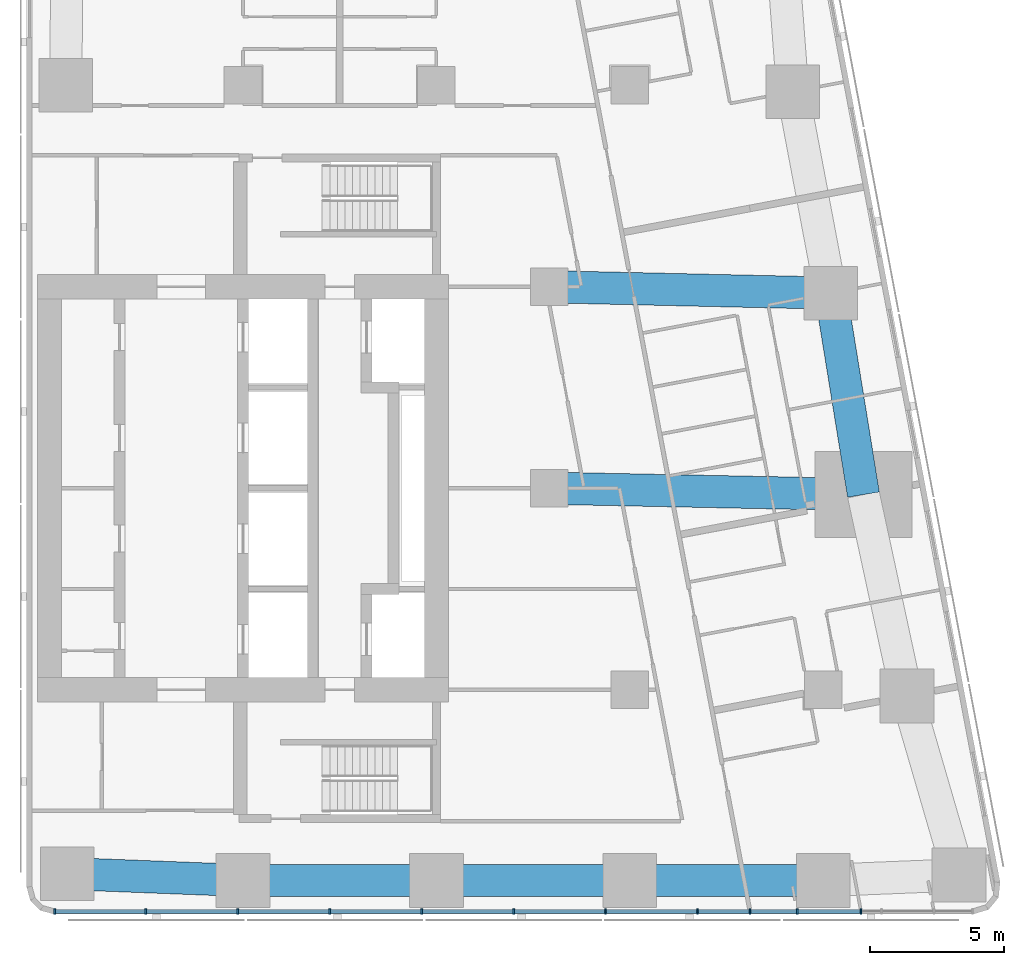
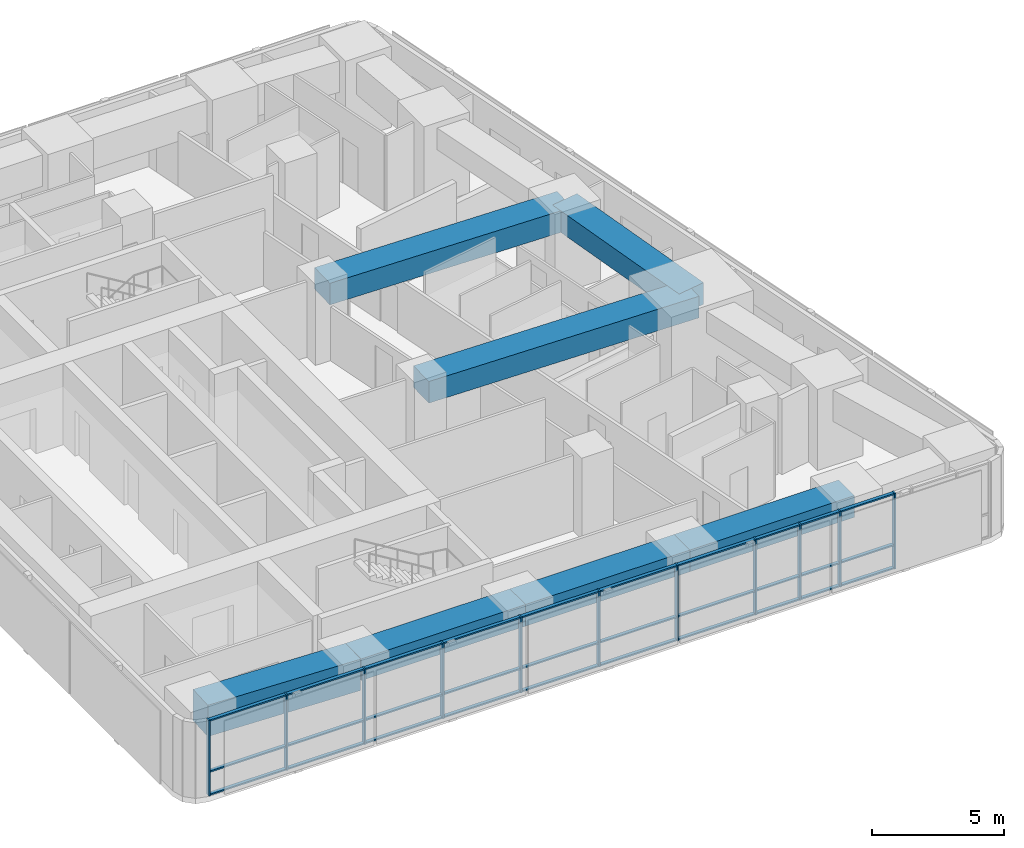
# One storey, part 2 of 11: 41 members, 7 beams, 1 element without a shape of its own.
"""IFC4 building model written with IfcOpenShell, lengths in metres."""

from ifc_helpers import new_model, si_unit, direction, frame, origin, origin_2d, place, context, subcontext, project, spatial, rectangle, extrude, material, material_profile, profile_set, type_object, element, aggregate, save


model = new_model("IFC4")

# Units and contexts
model_context = context("Model", 3, precision=1e-05, world=origin(), true_north=direction((0.0, 1.0)))
body_context = subcontext(model_context, "Body", "Model", "MODEL_VIEW")
ifc_project = project(units=[si_unit("LENGTHUNIT", "METRE"), si_unit("AREAUNIT", "SQUARE_METRE"), si_unit("VOLUMEUNIT", "CUBIC_METRE"), si_unit("PLANEANGLEUNIT", "RADIAN"), si_unit("MASSUNIT", "GRAM", prefix="KILO")], contexts=[model_context])

# Site, building, storey
site_placement = place(None, origin())
site = spatial("IfcSite", under=ifc_project, at=site_placement, CompositionType="ELEMENT")
building_placement = place(site_placement, origin())
building = spatial("IfcBuilding", under=site, at=building_placement, Name="Sheger Commons Tower", CompositionType="ELEMENT")
storey_placement = place(building_placement, frame((0.0, 0.0, 259.10009765625)))
storey = spatial("IfcBuildingStorey", under=building, at=storey_placement, Name="L66", CompositionType="ELEMENT", Elevation=259.10009765625)

# Beams
ifc_material_1 = material(Name="Concrete C50/60", Category="concrete")
ifc_material_profile_1 = material_profile(ifc_material_1, rectangle(XDim=1.199951171875, YDim=1.0, at=origin_2d()), Name="RC 1200x1000")
ifc_profile_set_1 = profile_set([ifc_material_profile_1], Name="Concrete C50/60")
beam_type_1 = type_object("IfcBeamType", Name="BEAM RC 1200x1000", PredefinedType="BEAM", material=ifc_profile_set_1)
beam_1_placement = place(storey_placement, frame((33.0, 22.5, 3.0), z_axis=(0.999794692776, -0.02026258368, 0.0), x_axis=(0.02026258368, 0.999794692776, 0.0)))
element("IfcBeam", 1, at=beam_1_placement, inside=storey, type_object=beam_type_1, Name="Beam 6-3000/D-7/D under L67", PredefinedType="BEAM", context=body_context, shape_type="SweptSolid", body=[
    extrude(rectangle(XDim=1.199951171875, YDim=1.0, at=origin_2d()), origin(), (0.0, 0.0, 1.0), 11.699462890625),
])
beam_2_placement = place(storey_placement, frame((33.0, 30.0, 3.0), z_axis=(0.999744258625, -0.022614538395, 0.0), x_axis=(0.022614538395, 0.999744258625, 0.0)))
element("IfcBeam", 2, at=beam_2_placement, inside=storey, type_object=beam_type_1, Name="Beam 6-3000/E-E/E under L67", PredefinedType="BEAM", context=body_context, shape_type="SweptSolid", body=[
    extrude(rectangle(XDim=1.199951171875, YDim=1.0, at=origin_2d()), origin(), (0.0, 0.0, 1.0), 10.482666015625),
])

# Curtain wall, members
ifc_material_2 = material(Name="Black aluminium curtain wall, dark tinted glazing", Category="aluminium")
curtain_wall_type = type_object("IfcCurtainWallType", Name="CURTAIN WALL CW5 SOUTH GALLERY", PredefinedType="USERDEFINED", material=ifc_material_2)
curtain_wall_placement = place(storey_placement, origin())
curtain_wall = element("IfcCurtainWall", 3, at=curtain_wall_placement, inside=storey, type_object=curtain_wall_type, Name="Curtain Wall Cw5 South Gallery S1 L66", ObjectType="UNITISED CURTAIN WALL", PredefinedType="USERDEFINED")
ifc_material_3 = material(Name="Black anodised aluminium", Category="aluminium")
ifc_material_profile_2 = material_profile(ifc_material_3, rectangle(XDim=0.199951171875, YDim=0.06494140625, at=origin_2d()), Name="AL 65x200")
ifc_profile_set_2 = profile_set([ifc_material_profile_2], Name="Black anodised aluminium")
member_type_1 = type_object("IfcMemberType", Name="MULLION AL 65x200", PredefinedType="MULLION", material=ifc_profile_set_2)
member_1_placement = place(storey_placement, frame((14.595458984375, 6.75, 0.0), z_axis=(0.0, 0.0, 1.0), x_axis=(0.0, 1.0, 0.0)))
member_1 = element("IfcMember", 4, at=member_1_placement, type_object=member_type_1, Name="CW5 mullion 1", PredefinedType="MULLION", context=body_context, shape_type="SweptSolid", body=[
    extrude(rectangle(XDim=0.199951171875, YDim=0.06494140625, at=origin_2d()), origin(), (0.0, 0.0, 1.0), 3.5),
])
member_2_placement = place(storey_placement, frame((17.985107421875, 6.75, 0.0), z_axis=(0.0, 0.0, 1.0), x_axis=(0.0, 1.0, 0.0)))
member_2 = element("IfcMember", 5, at=member_2_placement, type_object=member_type_1, Name="CW5 mullion 2", PredefinedType="MULLION", context=body_context, shape_type="SweptSolid", body=[
    extrude(rectangle(XDim=0.199951171875, YDim=0.06494140625, at=origin_2d()), origin(), (0.0, 0.0, 1.0), 3.5),
])
member_3_placement = place(storey_placement, frame((21.407958984375, 6.75, 0.0), z_axis=(0.0, 0.0, 1.0), x_axis=(0.0, 1.0, 0.0)))
member_3 = element("IfcMember", 6, at=member_3_placement, type_object=member_type_1, Name="CW5 mullion 3", PredefinedType="MULLION", context=body_context, shape_type="SweptSolid", body=[
    extrude(rectangle(XDim=0.199951171875, YDim=0.06494140625, at=origin_2d()), origin(), (0.0, 0.0, 1.0), 3.5),
])
member_4_placement = place(storey_placement, frame((24.830078125, 6.75, 0.0), z_axis=(0.0, 0.0, 1.0), x_axis=(0.0, 1.0, 0.0)))
member_4 = element("IfcMember", 7, at=member_4_placement, type_object=member_type_1, Name="CW5 mullion 4", PredefinedType="MULLION", context=body_context, shape_type="SweptSolid", body=[
    extrude(rectangle(XDim=0.199951171875, YDim=0.06494140625, at=origin_2d()), origin(), (0.0, 0.0, 1.0), 3.5),
])
member_5_placement = place(storey_placement, frame((28.2529296875, 6.75, 0.0), z_axis=(0.0, 0.0, 1.0), x_axis=(0.0, 1.0, 0.0)))
member_5 = element("IfcMember", 8, at=member_5_placement, type_object=member_type_1, Name="CW5 mullion 5", PredefinedType="MULLION", context=body_context, shape_type="SweptSolid", body=[
    extrude(rectangle(XDim=0.199951171875, YDim=0.06494140625, at=origin_2d()), origin(), (0.0, 0.0, 1.0), 3.5),
])
member_6_placement = place(storey_placement, frame((31.675048828125, 6.75, 0.0), z_axis=(0.0, 0.0, 1.0), x_axis=(0.0, 1.0, 0.0)))
member_6 = element("IfcMember", 9, at=member_6_placement, type_object=member_type_1, Name="CW5 mullion 6", PredefinedType="MULLION", context=body_context, shape_type="SweptSolid", body=[
    extrude(rectangle(XDim=0.199951171875, YDim=0.06494140625, at=origin_2d()), origin(), (0.0, 0.0, 1.0), 3.5),
])
member_7_placement = place(storey_placement, frame((35.096923828125, 6.75, 0.0), z_axis=(0.0, 0.0, 1.0), x_axis=(0.0, 1.0, 0.0)))
member_7 = element("IfcMember", 10, at=member_7_placement, type_object=member_type_1, Name="CW5 mullion 7", PredefinedType="MULLION", context=body_context, shape_type="SweptSolid", body=[
    extrude(rectangle(XDim=0.199951171875, YDim=0.06494140625, at=origin_2d()), origin(), (0.0, 0.0, 1.0), 3.5),
])
member_8_placement = place(storey_placement, frame((38.52001953125, 6.75, 0.0), z_axis=(0.0, 0.0, 1.0), x_axis=(0.0, 1.0, 0.0)))
member_8 = element("IfcMember", 11, at=member_8_placement, type_object=member_type_1, Name="CW5 mullion 8", PredefinedType="MULLION", context=body_context, shape_type="SweptSolid", body=[
    extrude(rectangle(XDim=0.199951171875, YDim=0.06494140625, at=origin_2d()), origin(), (0.0, 0.0, 1.0), 3.5),
])
member_9_placement = place(storey_placement, frame((40.47412109375, 6.75, 0.0), z_axis=(0.0, 0.0, 1.0), x_axis=(0.0, 1.0, 0.0)))
member_9 = element("IfcMember", 12, at=member_9_placement, type_object=member_type_1, Name="CW5 mullion 9", PredefinedType="MULLION", context=body_context, shape_type="SweptSolid", body=[
    extrude(rectangle(XDim=0.199951171875, YDim=0.06494140625, at=origin_2d()), origin(), (0.0, 0.0, 1.0), 3.5),
])
member_10_placement = place(storey_placement, frame((42.22802734375, 6.75, 0.0), z_axis=(0.0, 0.0, 1.0), x_axis=(0.0, 1.0, 0.0)))
member_10 = element("IfcMember", 13, at=member_10_placement, type_object=member_type_1, Name="CW5 mullion 10", PredefinedType="MULLION", context=body_context, shape_type="SweptSolid", body=[
    extrude(rectangle(XDim=0.199951171875, YDim=0.06494140625, at=origin_2d()), origin(), (0.0, 0.0, 1.0), 3.5),
])
member_11_placement = place(storey_placement, frame((44.60595703125, 6.75, 0.0), z_axis=(0.0, 0.0, 1.0), x_axis=(0.0, 1.0, 0.0)))
member_11 = element("IfcMember", 14, at=member_11_placement, type_object=member_type_1, Name="CW5 mullion 11", PredefinedType="MULLION", context=body_context, shape_type="SweptSolid", body=[
    extrude(rectangle(XDim=0.199951171875, YDim=0.06494140625, at=origin_2d()), origin(), (0.0, 0.0, 1.0), 3.5),
])

# Beams
ifc_material_4 = material(Name="Concrete C50/60", Category="concrete")
ifc_material_profile_3 = material_profile(ifc_material_4, rectangle(XDim=1.199951171875, YDim=1.0, at=origin_2d()), Name="RC 1200x1000")
ifc_profile_set_3 = profile_set([ifc_material_profile_3], Name="Concrete C50/60")
beam_type_2 = type_object("IfcBeamType", Name="SPANDREL RC 1200x1000", PredefinedType="SPANDREL", material=ifc_profile_set_3)
for number, where, z_axis, x_axis, name in (
    (15, (21.60009765625, 7.89990234375, 3.0), (1.0, 0.0, 0.0), (0.0, 1.0, 0.0), "Beam 4/B-5/B under L67"),
    (16, (28.800048828125, 7.89990234375, 3.0), (1.0, 0.0, 0.0), (0.0, 1.0, 0.0), "Beam 5/B-6/B under L67"),
    (17, (36.0, 7.89990234375, 3.0), (1.0, 0.0, 0.0), (0.0, 1.0, 0.0), "Beam 6/B-7/B under L67"),
):
    element("IfcBeam", number, at=place(storey_placement, frame(where, z_axis=z_axis, x_axis=x_axis)), inside=storey, type_object=beam_type_2, Name=name, PredefinedType="SPANDREL", context=body_context, shape_type="SweptSolid", body=[
        extrude(rectangle(XDim=1.199951171875, YDim=1.0, at=origin_2d()), origin(), (0.0, 0.0, 1.0), 7.199951171875),
    ])
beam_3_placement = place(storey_placement, frame((44.697021484375, 22.262939453125, 3.0), z_axis=(-0.160176929512, 0.987088319884, 0.0), x_axis=(-0.987088319884, -0.160176929512, 0.0)))
element("IfcBeam", 18, at=beam_3_placement, inside=storey, type_object=beam_type_2, Name="Beam E/D-E/E under L67", PredefinedType="SPANDREL", context=body_context, shape_type="SweptSolid", body=[
    extrude(rectangle(XDim=1.199951171875, YDim=1.0, at=origin_2d()), origin(), (0.0, 0.0, 1.0), 7.59814453125),
])
ifc_material_5 = material(Name="Concrete C50/60", Category="concrete")
ifc_material_profile_4 = material_profile(ifc_material_5, rectangle(XDim=1.199951171875, YDim=1.449951171875, at=origin_2d()), Name="RC 1200x1450")
ifc_profile_set_4 = profile_set([ifc_material_profile_4], Name="Concrete C50/60")
beam_type_3 = type_object("IfcBeamType", Name="SPANDREL RC 1200x1450", PredefinedType="SPANDREL", material=ifc_profile_set_4)
beam_4_placement = place(storey_placement, frame((15.053955078125, 8.154052734375, 2.77490234375), z_axis=(0.999247181966, -0.038795223079, 0.0), x_axis=(0.038795223079, 0.999247181966, 0.0)))
element("IfcBeam", 19, at=beam_4_placement, inside=storey, type_object=beam_type_3, Name="Beam 3/B-4/B under L67", PredefinedType="SPANDREL", context=body_context, shape_type="SweptSolid", body=[
    extrude(rectangle(XDim=1.199951171875, YDim=1.449951171875, at=origin_2d()), origin(), (0.0, 0.0, 1.0), 6.551025390625),
])

# Member
ifc_material_6 = material(Name="Black anodised aluminium", Category="aluminium")
ifc_material_profile_5 = material_profile(ifc_material_6, rectangle(XDim=0.14990234375, YDim=0.06494140625, at=origin_2d()), Name="AL 65x150")
ifc_profile_set_5 = profile_set([ifc_material_profile_5], Name="Black anodised aluminium")
member_type_2 = type_object("IfcMemberType", Name="TRANSOM AL 65x150", PredefinedType="USERDEFINED", material=ifc_profile_set_5)
member_12_placement = place(storey_placement, frame((14.6279296875, 6.75, 0.032470703125), z_axis=(1.0, 0.0, 0.0), x_axis=(0.0, 1.0, 0.0)))
member_12 = element("IfcMember", 20, at=member_12_placement, type_object=member_type_2, Name="CW5 transom 1.1", ObjectType="TRANSOM", PredefinedType="USERDEFINED", context=body_context, shape_type="SweptSolid", body=[
    extrude(rectangle(XDim=0.14990234375, YDim=0.06494140625, at=origin_2d()), origin(), (0.0, 0.0, 1.0), 3.324462890625),
])

member_13_placement = place(storey_placement, frame((14.6279296875, 6.75, 1.099853515625), z_axis=(1.0, 0.0, 0.0), x_axis=(0.0, 1.0, 0.0)))
member_13 = element("IfcMember", 21, at=member_13_placement, type_object=member_type_2, Name="CW5 transom 1.2", ObjectType="TRANSOM", PredefinedType="USERDEFINED", context=body_context, shape_type="SweptSolid", body=[
    extrude(rectangle(XDim=0.14990234375, YDim=0.06494140625, at=origin_2d()), origin(), (0.0, 0.0, 1.0), 3.324462890625),
])

member_14_placement = place(storey_placement, frame((14.6279296875, 6.75, 3.46728515625), z_axis=(1.0, 0.0, 0.0), x_axis=(0.0, 1.0, 0.0)))
member_14 = element("IfcMember", 22, at=member_14_placement, type_object=member_type_2, Name="CW5 transom 1.3", ObjectType="TRANSOM", PredefinedType="USERDEFINED", context=body_context, shape_type="SweptSolid", body=[
    extrude(rectangle(XDim=0.14990234375, YDim=0.06494140625, at=origin_2d()), origin(), (0.0, 0.0, 1.0), 3.324462890625),
])

member_15_placement = place(storey_placement, frame((18.017578125, 6.75, 0.032470703125), z_axis=(1.0, 0.0, 0.0), x_axis=(0.0, 1.0, 0.0)))
member_15 = element("IfcMember", 23, at=member_15_placement, type_object=member_type_2, Name="CW5 transom 2.1", ObjectType="TRANSOM", PredefinedType="USERDEFINED", context=body_context, shape_type="SweptSolid", body=[
    extrude(rectangle(XDim=0.14990234375, YDim=0.06494140625, at=origin_2d()), origin(), (0.0, 0.0, 1.0), 3.35791015625),
])

member_16_placement = place(storey_placement, frame((18.017578125, 6.75, 1.099853515625), z_axis=(1.0, 0.0, 0.0), x_axis=(0.0, 1.0, 0.0)))
member_16 = element("IfcMember", 24, at=member_16_placement, type_object=member_type_2, Name="CW5 transom 2.2", ObjectType="TRANSOM", PredefinedType="USERDEFINED", context=body_context, shape_type="SweptSolid", body=[
    extrude(rectangle(XDim=0.14990234375, YDim=0.06494140625, at=origin_2d()), origin(), (0.0, 0.0, 1.0), 3.35791015625),
])

member_17_placement = place(storey_placement, frame((18.017578125, 6.75, 3.46728515625), z_axis=(1.0, 0.0, 0.0), x_axis=(0.0, 1.0, 0.0)))
member_17 = element("IfcMember", 25, at=member_17_placement, type_object=member_type_2, Name="CW5 transom 2.3", ObjectType="TRANSOM", PredefinedType="USERDEFINED", context=body_context, shape_type="SweptSolid", body=[
    extrude(rectangle(XDim=0.14990234375, YDim=0.06494140625, at=origin_2d()), origin(), (0.0, 0.0, 1.0), 3.35791015625),
])

member_18_placement = place(storey_placement, frame((21.4404296875, 6.75, 0.032470703125), z_axis=(1.0, 0.0, 0.0), x_axis=(0.0, 1.0, 0.0)))
member_18 = element("IfcMember", 26, at=member_18_placement, type_object=member_type_2, Name="CW5 transom 3.1", ObjectType="TRANSOM", PredefinedType="USERDEFINED", context=body_context, shape_type="SweptSolid", body=[
    extrude(rectangle(XDim=0.14990234375, YDim=0.06494140625, at=origin_2d()), origin(), (0.0, 0.0, 1.0), 3.357177734375),
])

member_19_placement = place(storey_placement, frame((21.4404296875, 6.75, 1.099853515625), z_axis=(1.0, 0.0, 0.0), x_axis=(0.0, 1.0, 0.0)))
member_19 = element("IfcMember", 27, at=member_19_placement, type_object=member_type_2, Name="CW5 transom 3.2", ObjectType="TRANSOM", PredefinedType="USERDEFINED", context=body_context, shape_type="SweptSolid", body=[
    extrude(rectangle(XDim=0.14990234375, YDim=0.06494140625, at=origin_2d()), origin(), (0.0, 0.0, 1.0), 3.357177734375),
])

member_20_placement = place(storey_placement, frame((21.4404296875, 6.75, 3.46728515625), z_axis=(1.0, 0.0, 0.0), x_axis=(0.0, 1.0, 0.0)))
member_20 = element("IfcMember", 28, at=member_20_placement, type_object=member_type_2, Name="CW5 transom 3.3", ObjectType="TRANSOM", PredefinedType="USERDEFINED", context=body_context, shape_type="SweptSolid", body=[
    extrude(rectangle(XDim=0.14990234375, YDim=0.06494140625, at=origin_2d()), origin(), (0.0, 0.0, 1.0), 3.357177734375),
])

member_21_placement = place(storey_placement, frame((24.862548828125, 6.75, 0.032470703125), z_axis=(1.0, 0.0, 0.0), x_axis=(0.0, 1.0, 0.0)))
member_21 = element("IfcMember", 29, at=member_21_placement, type_object=member_type_2, Name="CW5 transom 4.1", ObjectType="TRANSOM", PredefinedType="USERDEFINED", context=body_context, shape_type="SweptSolid", body=[
    extrude(rectangle(XDim=0.14990234375, YDim=0.06494140625, at=origin_2d()), origin(), (0.0, 0.0, 1.0), 3.35791015625),
])

member_22_placement = place(storey_placement, frame((24.862548828125, 6.75, 1.099853515625), z_axis=(1.0, 0.0, 0.0), x_axis=(0.0, 1.0, 0.0)))
member_22 = element("IfcMember", 30, at=member_22_placement, type_object=member_type_2, Name="CW5 transom 4.2", ObjectType="TRANSOM", PredefinedType="USERDEFINED", context=body_context, shape_type="SweptSolid", body=[
    extrude(rectangle(XDim=0.14990234375, YDim=0.06494140625, at=origin_2d()), origin(), (0.0, 0.0, 1.0), 3.35791015625),
])

member_23_placement = place(storey_placement, frame((24.862548828125, 6.75, 3.46728515625), z_axis=(1.0, 0.0, 0.0), x_axis=(0.0, 1.0, 0.0)))
member_23 = element("IfcMember", 31, at=member_23_placement, type_object=member_type_2, Name="CW5 transom 4.3", ObjectType="TRANSOM", PredefinedType="USERDEFINED", context=body_context, shape_type="SweptSolid", body=[
    extrude(rectangle(XDim=0.14990234375, YDim=0.06494140625, at=origin_2d()), origin(), (0.0, 0.0, 1.0), 3.35791015625),
])

member_24_placement = place(storey_placement, frame((28.285400390625, 6.75, 0.032470703125), z_axis=(1.0, 0.0, 0.0), x_axis=(0.0, 1.0, 0.0)))
member_24 = element("IfcMember", 32, at=member_24_placement, type_object=member_type_2, Name="CW5 transom 5.1", ObjectType="TRANSOM", PredefinedType="USERDEFINED", context=body_context, shape_type="SweptSolid", body=[
    extrude(rectangle(XDim=0.14990234375, YDim=0.06494140625, at=origin_2d()), origin(), (0.0, 0.0, 1.0), 3.357177734375),
])

member_25_placement = place(storey_placement, frame((28.285400390625, 6.75, 1.099853515625), z_axis=(1.0, 0.0, 0.0), x_axis=(0.0, 1.0, 0.0)))
member_25 = element("IfcMember", 33, at=member_25_placement, type_object=member_type_2, Name="CW5 transom 5.2", ObjectType="TRANSOM", PredefinedType="USERDEFINED", context=body_context, shape_type="SweptSolid", body=[
    extrude(rectangle(XDim=0.14990234375, YDim=0.06494140625, at=origin_2d()), origin(), (0.0, 0.0, 1.0), 3.357177734375),
])

member_26_placement = place(storey_placement, frame((28.285400390625, 6.75, 3.46728515625), z_axis=(1.0, 0.0, 0.0), x_axis=(0.0, 1.0, 0.0)))
member_26 = element("IfcMember", 34, at=member_26_placement, type_object=member_type_2, Name="CW5 transom 5.3", ObjectType="TRANSOM", PredefinedType="USERDEFINED", context=body_context, shape_type="SweptSolid", body=[
    extrude(rectangle(XDim=0.14990234375, YDim=0.06494140625, at=origin_2d()), origin(), (0.0, 0.0, 1.0), 3.357177734375),
])

member_27_placement = place(storey_placement, frame((31.70751953125, 6.75, 0.032470703125), z_axis=(1.0, 0.0, 0.0), x_axis=(0.0, 1.0, 0.0)))
member_27 = element("IfcMember", 35, at=member_27_placement, type_object=member_type_2, Name="CW5 transom 6.1", ObjectType="TRANSOM", PredefinedType="USERDEFINED", context=body_context, shape_type="SweptSolid", body=[
    extrude(rectangle(XDim=0.14990234375, YDim=0.06494140625, at=origin_2d()), origin(), (0.0, 0.0, 1.0), 3.35693359375),
])

member_28_placement = place(storey_placement, frame((31.70751953125, 6.75, 1.099853515625), z_axis=(1.0, 0.0, 0.0), x_axis=(0.0, 1.0, 0.0)))
member_28 = element("IfcMember", 36, at=member_28_placement, type_object=member_type_2, Name="CW5 transom 6.2", ObjectType="TRANSOM", PredefinedType="USERDEFINED", context=body_context, shape_type="SweptSolid", body=[
    extrude(rectangle(XDim=0.14990234375, YDim=0.06494140625, at=origin_2d()), origin(), (0.0, 0.0, 1.0), 3.35693359375),
])

member_29_placement = place(storey_placement, frame((31.70751953125, 6.75, 3.46728515625), z_axis=(1.0, 0.0, 0.0), x_axis=(0.0, 1.0, 0.0)))
member_29 = element("IfcMember", 37, at=member_29_placement, type_object=member_type_2, Name="CW5 transom 6.3", ObjectType="TRANSOM", PredefinedType="USERDEFINED", context=body_context, shape_type="SweptSolid", body=[
    extrude(rectangle(XDim=0.14990234375, YDim=0.06494140625, at=origin_2d()), origin(), (0.0, 0.0, 1.0), 3.35693359375),
])

member_30_placement = place(storey_placement, frame((35.12939453125, 6.75, 0.032470703125), z_axis=(1.0, 0.0, 0.0), x_axis=(0.0, 1.0, 0.0)))
member_30 = element("IfcMember", 38, at=member_30_placement, type_object=member_type_2, Name="CW5 transom 7.1", ObjectType="TRANSOM", PredefinedType="USERDEFINED", context=body_context, shape_type="SweptSolid", body=[
    extrude(rectangle(XDim=0.14990234375, YDim=0.06494140625, at=origin_2d()), origin(), (0.0, 0.0, 1.0), 3.358154296875),
])

member_31_placement = place(storey_placement, frame((35.12939453125, 6.75, 1.099853515625), z_axis=(1.0, 0.0, 0.0), x_axis=(0.0, 1.0, 0.0)))
member_31 = element("IfcMember", 39, at=member_31_placement, type_object=member_type_2, Name="CW5 transom 7.2", ObjectType="TRANSOM", PredefinedType="USERDEFINED", context=body_context, shape_type="SweptSolid", body=[
    extrude(rectangle(XDim=0.14990234375, YDim=0.06494140625, at=origin_2d()), origin(), (0.0, 0.0, 1.0), 3.358154296875),
])

member_32_placement = place(storey_placement, frame((35.12939453125, 6.75, 3.46728515625), z_axis=(1.0, 0.0, 0.0), x_axis=(0.0, 1.0, 0.0)))
member_32 = element("IfcMember", 40, at=member_32_placement, type_object=member_type_2, Name="CW5 transom 7.3", ObjectType="TRANSOM", PredefinedType="USERDEFINED", context=body_context, shape_type="SweptSolid", body=[
    extrude(rectangle(XDim=0.14990234375, YDim=0.06494140625, at=origin_2d()), origin(), (0.0, 0.0, 1.0), 3.358154296875),
])

member_33_placement = place(storey_placement, frame((38.552490234375, 6.75, 0.032470703125), z_axis=(1.0, 0.0, 0.0), x_axis=(0.0, 1.0, 0.0)))
member_33 = element("IfcMember", 41, at=member_33_placement, type_object=member_type_2, Name="CW5 transom 8.1", ObjectType="TRANSOM", PredefinedType="USERDEFINED", context=body_context, shape_type="SweptSolid", body=[
    extrude(rectangle(XDim=0.14990234375, YDim=0.06494140625, at=origin_2d()), origin(), (0.0, 0.0, 1.0), 1.888916015625),
])

member_34_placement = place(storey_placement, frame((38.552490234375, 6.75, 1.099853515625), z_axis=(1.0, 0.0, 0.0), x_axis=(0.0, 1.0, 0.0)))
member_34 = element("IfcMember", 42, at=member_34_placement, type_object=member_type_2, Name="CW5 transom 8.2", ObjectType="TRANSOM", PredefinedType="USERDEFINED", context=body_context, shape_type="SweptSolid", body=[
    extrude(rectangle(XDim=0.14990234375, YDim=0.06494140625, at=origin_2d()), origin(), (0.0, 0.0, 1.0), 1.888916015625),
])

member_35_placement = place(storey_placement, frame((38.552490234375, 6.75, 3.46728515625), z_axis=(1.0, 0.0, 0.0), x_axis=(0.0, 1.0, 0.0)))
member_35 = element("IfcMember", 43, at=member_35_placement, type_object=member_type_2, Name="CW5 transom 8.3", ObjectType="TRANSOM", PredefinedType="USERDEFINED", context=body_context, shape_type="SweptSolid", body=[
    extrude(rectangle(XDim=0.14990234375, YDim=0.06494140625, at=origin_2d()), origin(), (0.0, 0.0, 1.0), 1.888916015625),
])

member_36_placement = place(storey_placement, frame((40.506591796875, 6.75, 0.032470703125), z_axis=(1.0, 0.0, 0.0), x_axis=(0.0, 1.0, 0.0)))
member_36 = element("IfcMember", 44, at=member_36_placement, type_object=member_type_2, Name="CW5 transom 9.1", ObjectType="TRANSOM", PredefinedType="USERDEFINED", context=body_context, shape_type="SweptSolid", body=[
    extrude(rectangle(XDim=0.14990234375, YDim=0.06494140625, at=origin_2d()), origin(), (0.0, 0.0, 1.0), 1.68896484375),
])

member_37_placement = place(storey_placement, frame((40.506591796875, 6.75, 1.099853515625), z_axis=(1.0, 0.0, 0.0), x_axis=(0.0, 1.0, 0.0)))
member_37 = element("IfcMember", 45, at=member_37_placement, type_object=member_type_2, Name="CW5 transom 9.2", ObjectType="TRANSOM", PredefinedType="USERDEFINED", context=body_context, shape_type="SweptSolid", body=[
    extrude(rectangle(XDim=0.14990234375, YDim=0.06494140625, at=origin_2d()), origin(), (0.0, 0.0, 1.0), 1.68896484375),
])

member_38_placement = place(storey_placement, frame((40.506591796875, 6.75, 3.46728515625), z_axis=(1.0, 0.0, 0.0), x_axis=(0.0, 1.0, 0.0)))
member_38 = element("IfcMember", 46, at=member_38_placement, type_object=member_type_2, Name="CW5 transom 9.3", ObjectType="TRANSOM", PredefinedType="USERDEFINED", context=body_context, shape_type="SweptSolid", body=[
    extrude(rectangle(XDim=0.14990234375, YDim=0.06494140625, at=origin_2d()), origin(), (0.0, 0.0, 1.0), 1.68896484375),
])

member_39_placement = place(storey_placement, frame((42.260498046875, 6.75, 0.032470703125), z_axis=(1.0, 0.0, 0.0), x_axis=(0.0, 1.0, 0.0)))
member_39 = element("IfcMember", 47, at=member_39_placement, type_object=member_type_2, Name="CW5 transom 10.1", ObjectType="TRANSOM", PredefinedType="USERDEFINED", context=body_context, shape_type="SweptSolid", body=[
    extrude(rectangle(XDim=0.14990234375, YDim=0.06494140625, at=origin_2d()), origin(), (0.0, 0.0, 1.0), 2.31298828125),
])

member_40_placement = place(storey_placement, frame((42.260498046875, 6.75, 1.099853515625), z_axis=(1.0, 0.0, 0.0), x_axis=(0.0, 1.0, 0.0)))
member_40 = element("IfcMember", 48, at=member_40_placement, type_object=member_type_2, Name="CW5 transom 10.2", ObjectType="TRANSOM", PredefinedType="USERDEFINED", context=body_context, shape_type="SweptSolid", body=[
    extrude(rectangle(XDim=0.14990234375, YDim=0.06494140625, at=origin_2d()), origin(), (0.0, 0.0, 1.0), 2.31298828125),
])

member_41_placement = place(storey_placement, frame((42.260498046875, 6.75, 3.46728515625), z_axis=(1.0, 0.0, 0.0), x_axis=(0.0, 1.0, 0.0)))
member_41 = element("IfcMember", 49, at=member_41_placement, type_object=member_type_2, Name="CW5 transom 10.3", ObjectType="TRANSOM", PredefinedType="USERDEFINED", context=body_context, shape_type="SweptSolid", body=[
    extrude(rectangle(XDim=0.14990234375, YDim=0.06494140625, at=origin_2d()), origin(), (0.0, 0.0, 1.0), 2.31298828125),
])

aggregate(curtain_wall, [member_1, member_2, member_3, member_4, member_5, member_6, member_7, member_8, member_9, member_10, member_11, member_12, member_13, member_14, member_15, member_16, member_17, member_18, member_19, member_20, member_21, member_22, member_23, member_24, member_25, member_26, member_27, member_28, member_29, member_30, member_31, member_32, member_33, member_34, member_35, member_36, member_37, member_38, member_39, member_40, member_41])

save(model, "model.ifc")
